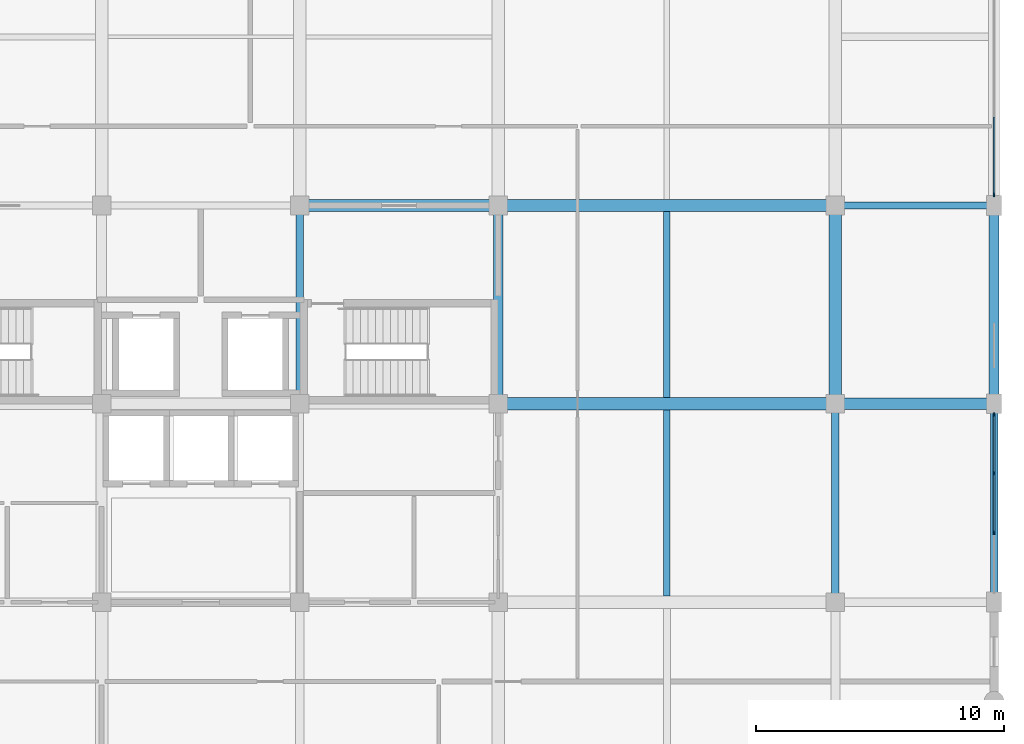
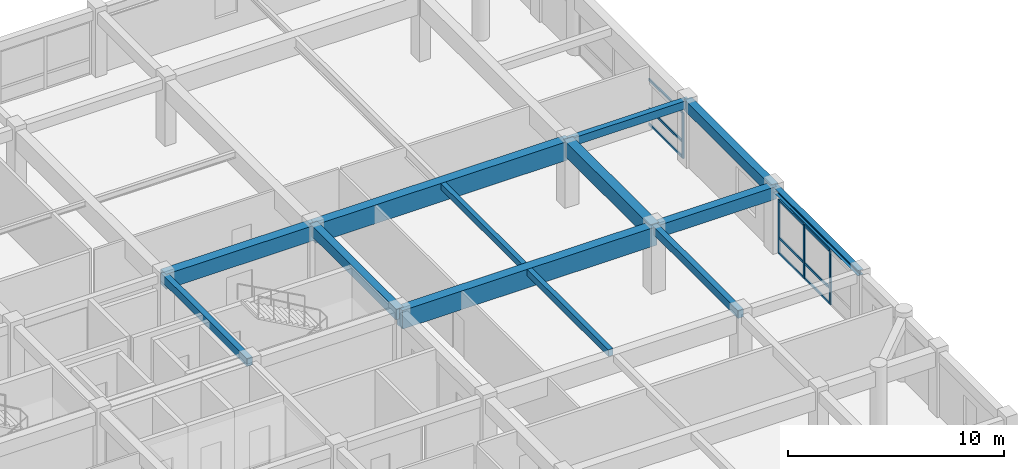
# One storey, part 5 of 14: 13 beams, 13 members, 2 elements without a shape of their own.
"""IFC4 building model written with IfcOpenShell, lengths in metres."""

from ifc_helpers import new_model, si_unit, direction, frame, origin, origin_2d, place, context, subcontext, project, spatial, rectangle, i_section, extrude, material, material_profile, profile_set, type_object, element, aggregate, save


model = new_model("IFC4")

# Units and contexts
model_context = context("Model", 3, precision=1e-05, world=origin(), true_north=direction((0.0, 1.0)))
body_context = subcontext(model_context, "Body", "Model", "MODEL_VIEW")
ifc_project = project(units=[si_unit("LENGTHUNIT", "METRE"), si_unit("AREAUNIT", "SQUARE_METRE"), si_unit("VOLUMEUNIT", "CUBIC_METRE"), si_unit("PLANEANGLEUNIT", "RADIAN"), si_unit("MASSUNIT", "GRAM", prefix="KILO")], contexts=[model_context])

# Site, building, storey
site_placement = place(None, origin())
site = spatial("IfcSite", under=ifc_project, at=site_placement, CompositionType="ELEMENT")
building_placement = place(site_placement, origin())
building = spatial("IfcBuilding", under=site, at=building_placement, Name="Vellmiral Cinema and Media Centre", CompositionType="ELEMENT")
storey_placement = place(building_placement, frame((0.0, 0.0, 27.800048828125)))
storey = spatial("IfcBuildingStorey", under=building, at=storey_placement, Name="L06", CompositionType="ELEMENT", Elevation=27.800048828125)

# Beams
ifc_material_1 = material(Name="Concrete C40/50", Category="concrete")
ifc_material_profile_1 = material_profile(ifc_material_1, rectangle(XDim=0.300048828125, YDim=0.449951171875, at=origin_2d()), Name="RC 300x450")
ifc_profile_set_1 = profile_set([ifc_material_profile_1], Name="Concrete C40/50")
beam_type_1 = type_object("IfcBeamType", Name="BM-RC-300x450", PredefinedType="BEAM", material=ifc_profile_set_1)
beam_1_placement = place(storey_placement, frame((161.60009765625, 95.199951171875, 3.409912109375), z_axis=(1.0, 0.0, 0.0), x_axis=(0.0, 1.0, 0.0)))
element("IfcBeam", 1, at=beam_1_placement, inside=storey, type_object=beam_type_1, Name="Grid Beam L06-X035", PredefinedType="BEAM", context=body_context, shape_type="SweptSolid", body=[
    extrude(rectangle(XDim=0.300048828125, YDim=0.449951171875, at=origin_2d()), origin(), (0.0, 0.0, 1.0), 6.39990234375),
])
for number, where, z_axis, x_axis, name in (
    (2, (140.0, 87.199951171875, 3.409912109375), (0.0, 1.0, 0.0), (-1.0, 0.0, 0.0), "Grid Beam L06-Y076"),
    (3, (161.60009765625, 79.199951171875, 3.409912109375), (0.0, 1.0, 0.0), (-1.0, 0.0, 0.0), "Grid Beam L06-Y087"),
):
    element("IfcBeam", number, at=place(storey_placement, frame(where, z_axis=z_axis, x_axis=x_axis)), inside=storey, type_object=beam_type_1, Name=name, PredefinedType="BEAM", context=body_context, shape_type="SweptSolid", body=[
        extrude(rectangle(XDim=0.300048828125, YDim=0.449951171875, at=origin_2d()), origin(), (0.0, 0.0, 1.0), 8.0),
    ])
ifc_material_2 = material(Name="Concrete C40/50", Category="concrete")
ifc_material_profile_2 = material_profile(ifc_material_2, rectangle(XDim=0.39990234375, YDim=0.60009765625, at=origin_2d()), Name="RC 400x600")
ifc_profile_set_2 = profile_set([ifc_material_profile_2], Name="Concrete C40/50")
beam_type_2 = type_object("IfcBeamType", Name="BM-RC-400x600", PredefinedType="BEAM", material=ifc_profile_set_2)
beam_2_placement = place(storey_placement, frame((148.0, 87.199951171875, 3.3349609375), z_axis=(0.0, 1.0, 0.0), x_axis=(-1.0, 0.0, 0.0)))
element("IfcBeam", 4, at=beam_2_placement, inside=storey, type_object=beam_type_2, Name="Grid Beam L06-Y082", PredefinedType="BEAM", context=body_context, shape_type="SweptSolid", body=[
    extrude(rectangle(XDim=0.39990234375, YDim=0.60009765625, at=origin_2d()), origin(), (0.0, 0.0, 1.0), 8.0),
])
ifc_material_3 = material(Name="Concrete C40/50", Category="concrete")
ifc_material_profile_3 = material_profile(ifc_material_3, rectangle(XDim=0.449951171875, YDim=0.699951171875, at=origin_2d()), Name="RC 450x700")
ifc_profile_set_3 = profile_set([ifc_material_profile_3], Name="Concrete C40/50")
beam_type_3 = type_object("IfcBeamType", Name="BM-RC-450x700", PredefinedType="BEAM", material=ifc_profile_set_3)
beam_3_placement = place(storey_placement, frame((161.60009765625, 87.199951171875, 3.284912109375), z_axis=(1.0, 0.0, 0.0), x_axis=(0.0, 1.0, 0.0)))
element("IfcBeam", 5, at=beam_3_placement, inside=storey, type_object=beam_type_3, Name="Grid Beam L06-X028", PredefinedType="BEAM", context=body_context, shape_type="SweptSolid", body=[
    extrude(rectangle(XDim=0.449951171875, YDim=0.699951171875, at=origin_2d()), origin(), (0.0, 0.0, 1.0), 6.39990234375),
])
ifc_material_4 = material(Name="Concrete C40/50", Category="concrete")
ifc_material_profile_4 = material_profile(ifc_material_4, rectangle(XDim=0.5, YDim=0.85009765625, at=origin_2d()), Name="RC 500x850")
ifc_profile_set_4 = profile_set([ifc_material_profile_4], Name="Concrete C40/50")
beam_type_4 = type_object("IfcBeamType", Name="BM-RC-500x850", PredefinedType="BEAM", material=ifc_profile_set_4)
for number, where, z_axis, x_axis, name in (
    (6, (140.0, 95.199951171875, 3.2099609375), (1.0, 0.0, 0.0), (0.0, 1.0, 0.0), "Grid Beam L06-X033"),
    (7, (161.60009765625, 87.199951171875, 3.2099609375), (0.0, 1.0, 0.0), (-1.0, 0.0, 0.0), "Grid Beam L06-Y088"),
):
    element("IfcBeam", number, at=place(storey_placement, frame(where, z_axis=z_axis, x_axis=x_axis)), inside=storey, type_object=beam_type_4, Name=name, PredefinedType="BEAM", context=body_context, shape_type="SweptSolid", body=[
        extrude(rectangle(XDim=0.5, YDim=0.85009765625, at=origin_2d()), origin(), (0.0, 0.0, 1.0), 8.0),
    ])
ifc_material_5 = material(Name="Concrete C40/50", Category="concrete")
ifc_material_profile_5 = material_profile(ifc_material_5, rectangle(XDim=0.5, YDim=1.050048828125, at=origin_2d()), Name="RC 500x1050")
ifc_profile_set_5 = profile_set([ifc_material_profile_5], Name="Concrete C40/50")
beam_type_5 = type_object("IfcBeamType", Name="BM-RCG-500x1050", PredefinedType="BEAM", material=ifc_profile_set_5)
for number, where, z_axis, x_axis, name in (
    (8, (148.0, 87.199951171875, 3.10986328125), (1.0, 0.0, 0.0), (0.0, 1.0, 0.0), "Grid Beam L06-X027"),
    (9, (148.0, 95.199951171875, 3.10986328125), (1.0, 0.0, 0.0), (0.0, 1.0, 0.0), "Grid Beam L06-X034"),
):
    element("IfcBeam", number, at=place(storey_placement, frame(where, z_axis=z_axis, x_axis=x_axis)), inside=storey, type_object=beam_type_5, Name=name, PredefinedType="BEAM", context=body_context, shape_type="SweptSolid", body=[
        extrude(rectangle(XDim=0.5, YDim=1.050048828125, at=origin_2d()), origin(), (0.0, 0.0, 1.0), 13.60009765625),
    ])

# Curtain wall, members
ifc_material_6 = material(Name="Thermally Broken Aluminium and Triple Glazing", Category="aluminium")
curtain_wall_type = type_object("IfcCurtainWallType", Name="CW-TOWER-LOW-S", PredefinedType="USERDEFINED", material=ifc_material_6)
curtain_wall_1_placement = place(storey_placement, origin())
curtain_wall_1 = element("IfcCurtainWall", 10, at=curtain_wall_1_placement, inside=storey, type_object=curtain_wall_type, Name="Curtain Wall L06-B011", ObjectType="UNITISED CURTAIN WALL", PredefinedType="USERDEFINED")
ifc_material_7 = material(Name="Thermally Broken Anodised Aluminium", Category="aluminium")
ifc_material_profile_6 = material_profile(ifc_material_7, rectangle(XDim=0.06494140625, YDim=0.159912109375, at=origin_2d()), Name="MULL 65x160")
ifc_profile_set_6 = profile_set([ifc_material_profile_6], Name="Thermally Broken Anodised Aluminium")
member_type_1 = type_object("IfcMemberType", Name="CWM-65x160", PredefinedType="MULLION", material=ifc_profile_set_6)
member_1_placement = place(storey_placement, frame((168.0, 82.0, 0.0), z_axis=(0.0, 0.0, 1.0), x_axis=(-1.0, 0.0, 0.0)))
member_1 = element("IfcMember", 11, at=member_1_placement, type_object=member_type_1, Name="CW-06 mullion 2", PredefinedType="MULLION", context=body_context, shape_type="SweptSolid", body=[
    extrude(rectangle(XDim=0.06494140625, YDim=0.159912109375, at=origin_2d()), origin(), (0.0, 0.0, 1.0), 3.0400390625),
])
member_2_placement = place(storey_placement, frame((168.0, 84.39990234375, 0.0), z_axis=(0.0, 0.0, 1.0), x_axis=(-1.0, 0.0, 0.0)))
member_2 = element("IfcMember", 12, at=member_2_placement, type_object=member_type_1, Name="CW-06 mullion 3", PredefinedType="MULLION", context=body_context, shape_type="SweptSolid", body=[
    extrude(rectangle(XDim=0.06494140625, YDim=0.159912109375, at=origin_2d()), origin(), (0.0, 0.0, 1.0), 3.0400390625),
])
member_3_placement = place(storey_placement, frame((168.0, 86.767578125, 0.0), z_axis=(0.0, 0.0, 1.0), x_axis=(-1.0, 0.0, 0.0)))
member_3 = element("IfcMember", 13, at=member_3_placement, type_object=member_type_1, Name="CW-06 mullion 4", PredefinedType="MULLION", context=body_context, shape_type="SweptSolid", body=[
    extrude(rectangle(XDim=0.06494140625, YDim=0.159912109375, at=origin_2d()), origin(), (0.0, 0.0, 1.0), 3.0400390625),
])

# Curtain wall, member
curtain_wall_2_placement = place(storey_placement, origin())
curtain_wall_2 = element("IfcCurtainWall", 14, at=curtain_wall_2_placement, inside=storey, type_object=curtain_wall_type, Name="Curtain Wall L06-B013", ObjectType="UNITISED CURTAIN WALL", PredefinedType="USERDEFINED")
member_4_placement = place(storey_placement, frame((168.0, 95.632568359375, 0.0), z_axis=(0.0, 0.0, 1.0), x_axis=(-1.0, 0.0, 0.0)))
member_4 = element("IfcMember", 15, at=member_4_placement, type_object=member_type_1, Name="CW-06 mullion 1", PredefinedType="MULLION", context=body_context, shape_type="SweptSolid", body=[
    extrude(rectangle(XDim=0.06494140625, YDim=0.159912109375, at=origin_2d()), origin(), (0.0, 0.0, 1.0), 2.574951171875),
])

# Member
ifc_material_8 = material(Name="Thermally Broken Anodised Aluminium", Category="aluminium")
ifc_material_profile_7 = material_profile(ifc_material_8, rectangle(XDim=0.06494140625, YDim=0.135009765625, at=origin_2d()), Name="MULL 65x135")
ifc_profile_set_7 = profile_set([ifc_material_profile_7], Name="Thermally Broken Anodised Aluminium")
member_type_2 = type_object("IfcMemberType", Name="CWT-65x135", PredefinedType="USERDEFINED", material=ifc_profile_set_7)
member_5_placement = place(storey_placement, frame((168.0, 82.032470703125, 0.032470703125), z_axis=(0.0, 1.0, 0.0), x_axis=(-1.0, 0.0, 0.0)))
member_5 = element("IfcMember", 16, at=member_5_placement, type_object=member_type_2, Name="CW-06 transom 2.1", ObjectType="TRANSOM", PredefinedType="USERDEFINED", context=body_context, shape_type="SweptSolid", body=[
    extrude(rectangle(XDim=0.06494140625, YDim=0.135009765625, at=origin_2d()), origin(), (0.0, 0.0, 1.0), 2.3349609375),
])

member_6_placement = place(storey_placement, frame((168.0, 82.032470703125, 0.89990234375), z_axis=(0.0, 1.0, 0.0), x_axis=(-1.0, 0.0, 0.0)))
member_6 = element("IfcMember", 17, at=member_6_placement, type_object=member_type_2, Name="CW-06 transom 2.2", ObjectType="TRANSOM", PredefinedType="USERDEFINED", context=body_context, shape_type="SweptSolid", body=[
    extrude(rectangle(XDim=0.06494140625, YDim=0.135009765625, at=origin_2d()), origin(), (0.0, 0.0, 1.0), 2.3349609375),
])

member_7_placement = place(storey_placement, frame((168.0, 82.032470703125, 3.007568359375), z_axis=(0.0, 1.0, 0.0), x_axis=(-1.0, 0.0, 0.0)))
member_7 = element("IfcMember", 18, at=member_7_placement, type_object=member_type_2, Name="CW-06 transom 2.3", ObjectType="TRANSOM", PredefinedType="USERDEFINED", context=body_context, shape_type="SweptSolid", body=[
    extrude(rectangle(XDim=0.06494140625, YDim=0.135009765625, at=origin_2d()), origin(), (0.0, 0.0, 1.0), 2.3349609375),
])

member_8_placement = place(storey_placement, frame((168.0, 84.4326171875, 0.032470703125), z_axis=(0.0, 1.0, 0.0), x_axis=(-1.0, 0.0, 0.0)))
member_8 = element("IfcMember", 19, at=member_8_placement, type_object=member_type_2, Name="CW-06 transom 3.1", ObjectType="TRANSOM", PredefinedType="USERDEFINED", context=body_context, shape_type="SweptSolid", body=[
    extrude(rectangle(XDim=0.06494140625, YDim=0.135009765625, at=origin_2d()), origin(), (0.0, 0.0, 1.0), 2.302490234375),
])

member_9_placement = place(storey_placement, frame((168.0, 84.4326171875, 0.89990234375), z_axis=(0.0, 1.0, 0.0), x_axis=(-1.0, 0.0, 0.0)))
member_9 = element("IfcMember", 20, at=member_9_placement, type_object=member_type_2, Name="CW-06 transom 3.2", ObjectType="TRANSOM", PredefinedType="USERDEFINED", context=body_context, shape_type="SweptSolid", body=[
    extrude(rectangle(XDim=0.06494140625, YDim=0.135009765625, at=origin_2d()), origin(), (0.0, 0.0, 1.0), 2.302490234375),
])

member_10_placement = place(storey_placement, frame((168.0, 84.4326171875, 3.007568359375), z_axis=(0.0, 1.0, 0.0), x_axis=(-1.0, 0.0, 0.0)))
member_10 = element("IfcMember", 21, at=member_10_placement, type_object=member_type_2, Name="CW-06 transom 3.3", ObjectType="TRANSOM", PredefinedType="USERDEFINED", context=body_context, shape_type="SweptSolid", body=[
    extrude(rectangle(XDim=0.06494140625, YDim=0.135009765625, at=origin_2d()), origin(), (0.0, 0.0, 1.0), 2.302490234375),
])

aggregate(curtain_wall_1, [member_1, member_2, member_3, member_5, member_6, member_7, member_8, member_9, member_10])

member_11_placement = place(storey_placement, frame((168.0, 95.6650390625, 0.032470703125), z_axis=(0.0, 1.0, 0.0), x_axis=(-1.0, 0.0, 0.0)))
member_11 = element("IfcMember", 22, at=member_11_placement, type_object=member_type_2, Name="CW-06 transom 1.1", ObjectType="TRANSOM", PredefinedType="USERDEFINED", context=body_context, shape_type="SweptSolid", body=[
    extrude(rectangle(XDim=0.06494140625, YDim=0.135009765625, at=origin_2d()), origin(), (0.0, 0.0, 1.0), 3.1025390625),
])

member_12_placement = place(storey_placement, frame((168.0, 95.6650390625, 0.89990234375), z_axis=(0.0, 1.0, 0.0), x_axis=(-1.0, 0.0, 0.0)))
member_12 = element("IfcMember", 23, at=member_12_placement, type_object=member_type_2, Name="CW-06 transom 1.2", ObjectType="TRANSOM", PredefinedType="USERDEFINED", context=body_context, shape_type="SweptSolid", body=[
    extrude(rectangle(XDim=0.06494140625, YDim=0.135009765625, at=origin_2d()), origin(), (0.0, 0.0, 1.0), 3.1025390625),
])

member_13_placement = place(storey_placement, frame((168.0, 95.6650390625, 2.54248046875), z_axis=(0.0, 1.0, 0.0), x_axis=(-1.0, 0.0, 0.0)))
member_13 = element("IfcMember", 24, at=member_13_placement, type_object=member_type_2, Name="CW-06 transom 1.3", ObjectType="TRANSOM", PredefinedType="USERDEFINED", context=body_context, shape_type="SweptSolid", body=[
    extrude(rectangle(XDim=0.06494140625, YDim=0.135009765625, at=origin_2d()), origin(), (0.0, 0.0, 1.0), 3.1025390625),
])

aggregate(curtain_wall_2, [member_4, member_11, member_12, member_13])

# Beams
ifc_material_9 = material(Name="Concrete C40/50", Category="concrete")
ifc_material_profile_8 = material_profile(ifc_material_9, rectangle(XDim=0.25, YDim=0.35009765625, at=origin_2d()), Name="RC 250x350")
ifc_profile_set_8 = profile_set([ifc_material_profile_8], Name="Concrete C40/50")
beam_type_6 = type_object("IfcBeamType", Name="JST-RC-250x350", PredefinedType="JOIST", material=ifc_profile_set_8)
beam_4_placement = place(storey_placement, frame((154.800048828125, 87.449951171875, 3.4599609375), z_axis=(0.0, 1.0, 0.0), x_axis=(-1.0, 0.0, 0.0)))
element("IfcBeam", 25, at=beam_4_placement, inside=storey, type_object=beam_type_6, Name="Secondary Floor Joist L06-009", PredefinedType="JOIST", context=body_context, shape_type="SweptSolid", body=[
    extrude(rectangle(XDim=0.25, YDim=0.35009765625, at=origin_2d()), origin(), (0.0, 0.0, 1.0), 7.5),
])
ifc_material_10 = material(Name="Concrete C40/50", Category="concrete")
ifc_material_profile_9 = material_profile(ifc_material_10, rectangle(XDim=0.260009765625, YDim=0.3798828125, at=origin_2d()), Name="RC 260x380")
ifc_profile_set_9 = profile_set([ifc_material_profile_9], Name="Concrete C40/50")
beam_type_7 = type_object("IfcBeamType", Name="JST-RC-260x380", PredefinedType="JOIST", material=ifc_profile_set_9)
beam_5_placement = place(storey_placement, frame((154.800048828125, 79.449951171875, 3.445068359375), z_axis=(0.0, 1.0, 0.0), x_axis=(-1.0, 0.0, 0.0)))
element("IfcBeam", 26, at=beam_5_placement, inside=storey, type_object=beam_type_7, Name="Secondary Floor Joist L06-008", PredefinedType="JOIST", context=body_context, shape_type="SweptSolid", body=[
    extrude(rectangle(XDim=0.260009765625, YDim=0.3798828125, at=origin_2d()), origin(), (0.0, 0.0, 1.0), 7.5),
])
ifc_material_11 = material(Name="Steel S355", Category="steel")
ifc_material_profile_10 = material_profile(ifc_material_11, i_section(OverallWidth=0.300048828125, OverallDepth=0.300048828125, WebThickness=0.010986328125, FlangeThickness=0.01904296875, FilletRadius=0.027099609375, at=origin_2d()), Name="HEB 300")
ifc_profile_set_10 = profile_set([ifc_material_profile_10], Name="Steel S355")
beam_type_8 = type_object("IfcBeamType", Name="SBM-HEB300", PredefinedType="SPANDREL", material=ifc_profile_set_10)
beam_6_placement = place(storey_placement, frame((168.0, 79.199951171875, 3.48486328125), z_axis=(0.0, 1.0, 0.0), x_axis=(-1.0, 0.0, 0.0)))
element("IfcBeam", 27, at=beam_6_placement, inside=storey, type_object=beam_type_8, Name="Grid Beam L06-Y093", PredefinedType="SPANDREL", context=body_context, shape_type="SweptSolid", body=[
    extrude(i_section(OverallWidth=0.300048828125, OverallDepth=0.300048828125, WebThickness=0.010986328125, FlangeThickness=0.01904296875, FilletRadius=0.027099609375, at=origin_2d()), origin(), (0.0, 0.0, 1.0), 8.0),
])
ifc_material_12 = material(Name="Concrete C40/50", Category="concrete")
ifc_material_profile_11 = material_profile(ifc_material_12, rectangle(XDim=0.39990234375, YDim=0.60009765625, at=origin_2d()), Name="RC 400x600")
ifc_profile_set_11 = profile_set([ifc_material_profile_11], Name="Concrete C40/50")
beam_type_9 = type_object("IfcBeamType", Name="SPD-RC-400x600", PredefinedType="SPANDREL", material=ifc_profile_set_11)
beam_7_placement = place(storey_placement, frame((168.0, 87.199951171875, 3.3349609375), z_axis=(0.0, 1.0, 0.0), x_axis=(-1.0, 0.0, 0.0)))
element("IfcBeam", 28, at=beam_7_placement, inside=storey, type_object=beam_type_9, Name="Grid Beam L06-Y094", PredefinedType="SPANDREL", context=body_context, shape_type="SweptSolid", body=[
    extrude(rectangle(XDim=0.39990234375, YDim=0.60009765625, at=origin_2d()), origin(), (0.0, 0.0, 1.0), 8.0),
])

save(model, "model.ifc")
